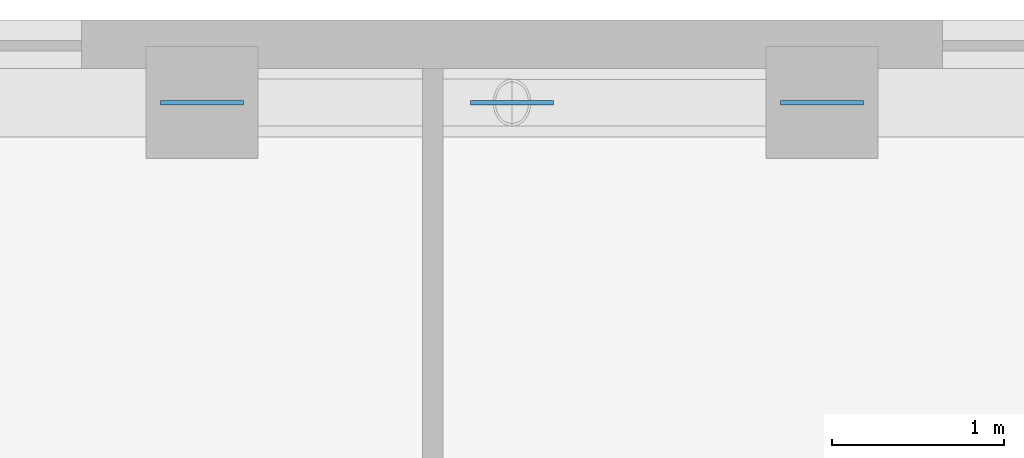
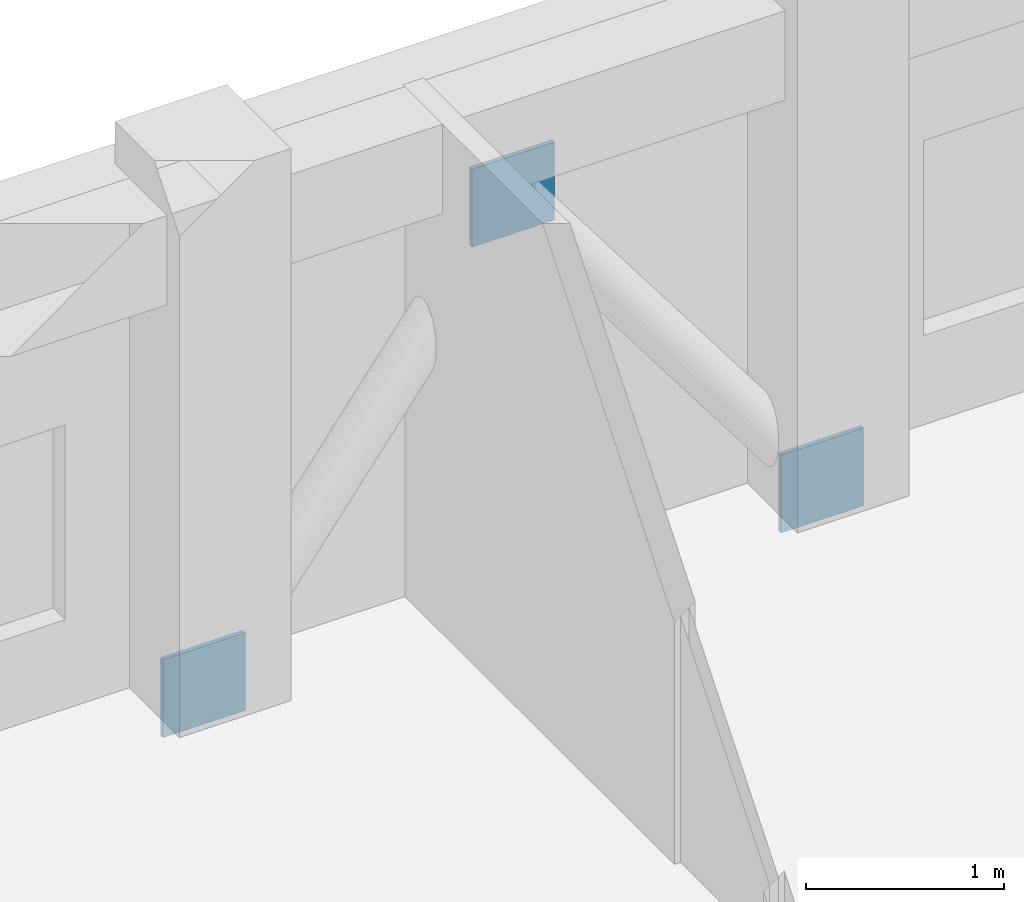
# One storey, part 9 of 11: 3 discrete accessories.
"""IFC4 building model written with IfcOpenShell, lengths in metres."""

from ifc_helpers import new_model, si_unit, derived_unit, direction, frame, origin, origin_2d, place, context, subcontext, project, spatial, rectangle, extrude, material, layer, layer_set, type_object, element, save


model = new_model("IFC4")

# Units and contexts
model_context = context("Model", 3, precision=1e-05, world=origin(), true_north=direction((0.0, 1.0)))
body_context = subcontext(model_context, "Body", "Model", "MODEL_VIEW")
ifc_project = project(units=[si_unit("LENGTHUNIT", "METRE"), si_unit("AREAUNIT", "SQUARE_METRE"), si_unit("VOLUMEUNIT", "CUBIC_METRE"), si_unit("PLANEANGLEUNIT", "RADIAN"), si_unit("MASSUNIT", "GRAM", prefix="KILO"), derived_unit("THERMALTRANSMITTANCEUNIT", [(si_unit("MASSUNIT", "GRAM", prefix="KILO"), 1), (si_unit("TIMEUNIT", "SECOND"), -3), (si_unit("THERMODYNAMICTEMPERATUREUNIT", "KELVIN"), -1)])], contexts=[model_context])

# Site, building, storey
site_placement = place(None, origin())
site = spatial("IfcSite", under=ifc_project, at=site_placement, CompositionType="ELEMENT")
building_placement = place(site_placement, origin())
building = spatial("IfcBuilding", under=site, at=building_placement, Name="Korrvale Station Residences", CompositionType="ELEMENT")
storey_placement = place(building_placement, frame((0.0, 0.0, 247.89990234375)))
storey = spatial("IfcBuildingStorey", under=building, at=storey_placement, Name="L72", CompositionType="ELEMENT", Elevation=247.89990234375)

# Discrete accessories
ifc_material = material(Name="Steel S355", Category="steel")
ifc_layer = layer(ifc_material, 0.02490234375, Name="Steel S355")
ifc_layer_set = layer_set([ifc_layer], Name="Steel S355")
discrete_accessory_type = type_object("IfcDiscreteAccessoryType", Name="ACC-GUSSET-25", PredefinedType="BRACKET", material=ifc_layer_set)
for number, where, z_axis, x_axis, name in (
    (1, (23.199951171875, 39.719970703125, -0.219970703125), (0.0, 0.0, 1.0), (1.0, 0.0, 0.0), "L72 N Brace End Gusset Connection A"),
    (2, (26.800048828125, 39.719970703125, -0.219970703125), (0.0, 0.0, 1.0), (1.0, 0.0, 0.0), "L72 N Brace End Gusset Connection B"),
    (3, (25.0, 39.719970703125, 2.170166015625), (0.0, 0.0, 1.0), (1.0, 0.0, 0.0), "L72 N Brace End Gusset Connection M"),
):
    element("IfcDiscreteAccessory", number, at=place(storey_placement, frame(where, z_axis=z_axis, x_axis=x_axis)), inside=storey, type_object=discrete_accessory_type, Name=name, PredefinedType="BRACKET", context=body_context, shape_type="SweptSolid", body=[
        extrude(rectangle(XDim=0.47998046875, YDim=0.02490234375, at=origin_2d()), origin(), (0.0, 0.0, 1.0), 0.47998046875),
    ])

save(model, "model.ifc")
